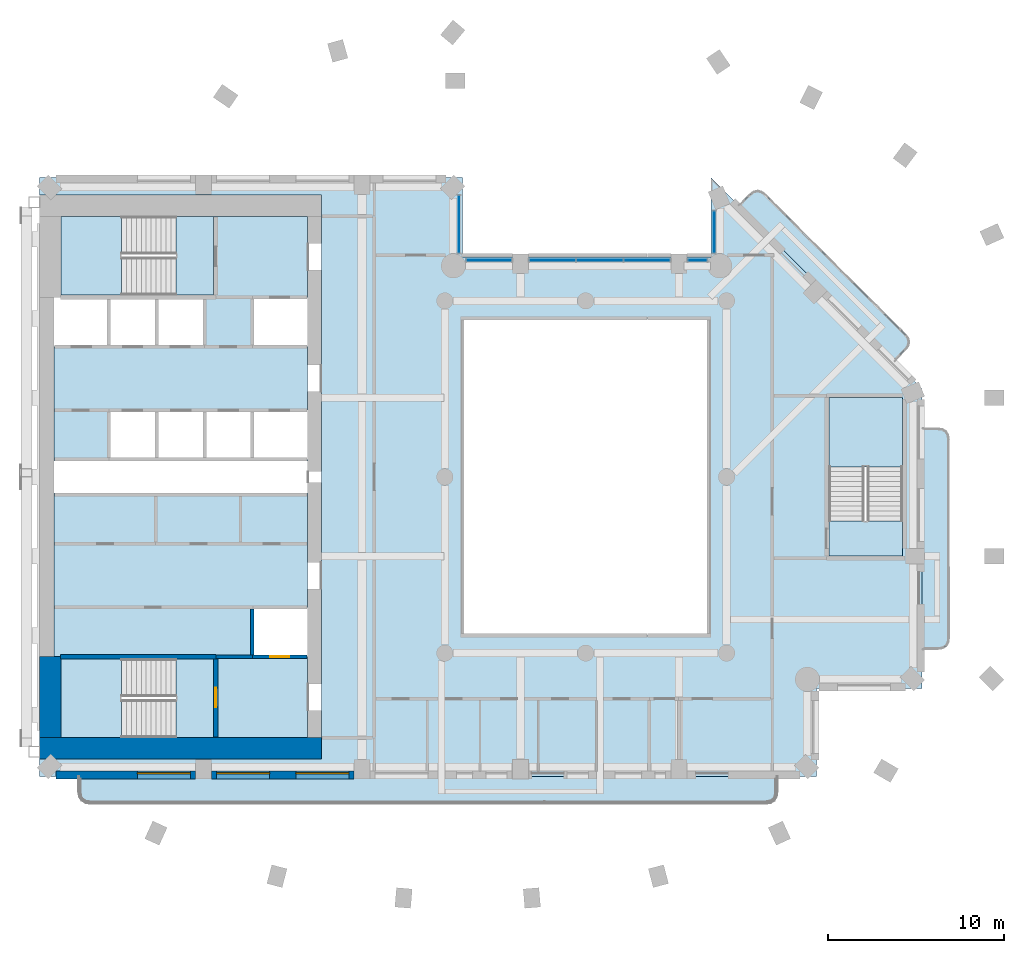
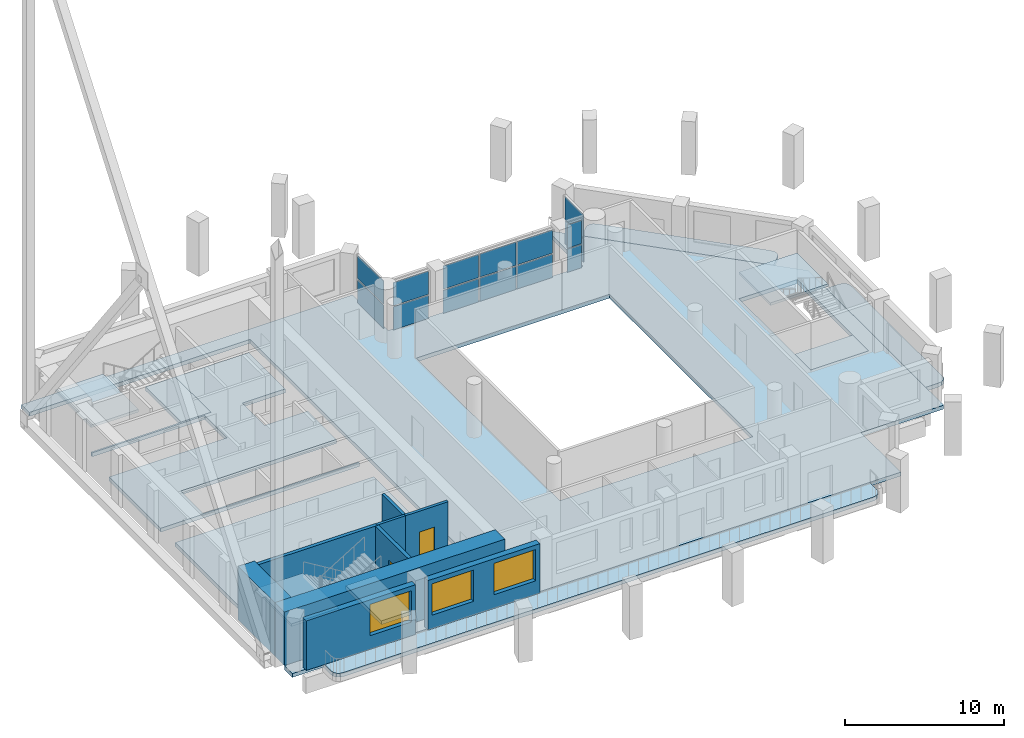
# One storey, part 3 of 16: 14 plates, 12 slabs, 9 walls, 3 windows, 2 doors, 5 openings, 8 elements without a shape of their own.
"""IFC4 building model written with IfcOpenShell, lengths in metres."""

from ifc_helpers import new_model, si_unit, direction, frame, frame_2d, origin, origin_2d, place, context, subcontext, project, spatial, polyline, rectangle, outline, extrude, material, layer, layer_set, type_object, element, fill, aggregate, save


model = new_model("IFC4")

# Units and contexts
model_context = context("Model", 3, precision=1e-05, world=origin(), true_north=direction((0.0, 1.0)))
body_context = subcontext(model_context, "Body", "Model", "MODEL_VIEW")
ifc_project = project(units=[si_unit("LENGTHUNIT", "METRE"), si_unit("AREAUNIT", "SQUARE_METRE"), si_unit("VOLUMEUNIT", "CUBIC_METRE"), si_unit("PLANEANGLEUNIT", "RADIAN"), si_unit("MASSUNIT", "GRAM", prefix="KILO")], contexts=[model_context])

# Site, building, storey
site_placement = place(None, origin())
site = spatial("IfcSite", under=ifc_project, at=site_placement, CompositionType="ELEMENT")
building_placement = place(site_placement, origin())
building = spatial("IfcBuilding", under=site, at=building_placement, Name="Cypress Arch Tower", CompositionType="ELEMENT")
storey_placement = place(building_placement, frame((0.0, 0.0, 197.39990234375)))
storey = spatial("IfcBuildingStorey", under=building, at=storey_placement, Name="L43", CompositionType="ELEMENT", Elevation=197.39990234375)

# Slabs
ifc_material_1 = material(Name="Concrete C40/50", Category="concrete")
ifc_layer_1 = layer(ifc_material_1, 0.300048828125)
ifc_layer_set_1 = layer_set([ifc_layer_1], Name="Balcony slab BS300")
slab_type_1 = type_object("IfcSlabType", Name="Balcony slab BS300", PredefinedType="USERDEFINED", material=ifc_layer_set_1)
slab_1_placement = place(storey_placement, frame((0.0, 0.0, -0.2998046875)))
element("IfcSlab", 1, at=slab_1_placement, inside=storey, type_object=slab_type_1, Name="Balcony slab L43-B01", ObjectType="BALCONY SLAB", PredefinedType="USERDEFINED", context=body_context, shape_type="SweptSolid", body=[
    extrude(outline(polyline([(-27.75, -17.0), (-27.75, -17.856201171875), (-27.708740234375, -18.144775390625), (-27.5849609375, -18.350830078125), (-27.378662109375, -18.474365234375), (-27.090087890625, -18.51513671875), (-26.283447265625, -18.513916015625), (-24.816650390625, -18.510498046875), (-23.35009765625, -18.50634765625), (-21.88330078125, -18.502685546875), (-20.416748046875, -18.50048828125), (-18.949951171875, -18.500244140625), (-17.4833984375, -18.501953125), (-16.0166015625, -18.50537109375), (-14.550048828125, -18.509521484375), (-13.083251953125, -18.51318359375), (-11.61669921875, -18.515869140625), (-10.14990234375, -18.516357421875), (-8.683349609375, -18.514892578125), (-7.216552734375, -18.511474609375), (-5.75, -18.507568359375), (-4.283447265625, -18.503662109375), (-2.816650390625, -18.500732421875), (-1.35009765625, -18.5), (0.11669921875, -18.501220703125), (1.583251953125, -18.50439453125), (3.050048828125, -18.50830078125), (4.5166015625, -18.51220703125), (5.9833984375, -18.51513671875), (7.449951171875, -18.516357421875), (8.916748046875, -18.515380859375), (10.38330078125, -18.512451171875), (11.18994140625, -18.510498046875), (11.478759765625, -18.46826171875), (11.68505859375, -18.343994140625), (11.808837890625, -18.137451171875), (11.85009765625, -17.8486328125), (11.85009765625, -17.0), (-27.75, -17.0)])), origin(), (0.0, 0.0, 1.0), 0.2998046875),
])
slab_2_placement = place(storey_placement, frame((0.0, 0.0, -0.2998046875)))
element("IfcSlab", 2, at=slab_2_placement, inside=storey, type_object=slab_type_1, Name="Balcony slab L43-B04", ObjectType="BALCONY SLAB", PredefinedType="USERDEFINED", context=body_context, shape_type="SweptSolid", body=[
    extrude(outline(polyline([(20.10009765625, -9.75), (20.990966796875, -9.75), (21.264404296875, -9.7109375), (21.459716796875, -9.59375), (21.57666015625, -9.3984375), (21.615234375, -9.125), (21.6142578125, -8.361083984375), (21.61083984375, -6.97216796875), (21.60693359375, -5.583251953125), (21.603271484375, -4.1943359375), (21.600830078125, -2.8056640625), (21.60009765625, -1.416748046875), (21.60107421875, -0.02783203125), (21.603759765625, 1.361083984375), (21.605712890625, 2.125), (21.5673828125, 2.3984375), (21.45068359375, 2.59375), (21.255859375, 2.7109375), (20.982421875, 2.75), (20.10009765625, 2.75), (20.10009765625, -9.75)])), origin(), (0.0, 0.0, 1.0), 0.2998046875),
])
slab_3_placement = place(storey_placement, frame((0.0, 0.0, -0.2998046875)))
element("IfcSlab", 3, at=slab_3_placement, inside=storey, type_object=slab_type_1, Name="Balcony slab L43-B05", ObjectType="BALCONY SLAB", PredefinedType="USERDEFINED", context=body_context, shape_type="SweptSolid", body=[
    extrude(outline(polyline([(18.509033203125, 6.591064453125), (19.14013671875, 7.22216796875), (19.305419921875, 7.442626953125), (19.3603515625, 7.662841796875), (19.30517578125, 7.883056640625), (19.1396484375, 8.103271484375), (18.599853515625, 8.641357421875), (17.617919921875, 9.618896484375), (16.63525390625, 10.595947265625), (15.65283203125, 11.5732421875), (14.67138671875, 12.55126953125), (13.69091796875, 13.5302734375), (12.7119140625, 14.5107421875), (11.734130859375, 15.492431640625), (11.196533203125, 16.03271484375), (10.9765625, 16.19873046875), (10.756591796875, 16.254150390625), (10.536376953125, 16.19921875), (10.31591796875, 16.033935546875), (9.69091796875, 15.408935546875), (18.509033203125, 6.591064453125)])), origin(), (0.0, 0.0, 1.0), 0.2998046875),
])
ifc_material_2 = material(Name="Concrete C40/50", Category="concrete")
ifc_layer_2 = layer(ifc_material_2, 0.300048828125)
ifc_layer_set_2 = layer_set([ifc_layer_2], Name="Core floor CF300")
slab_type_2 = type_object("IfcSlabType", Name="Core floor CF300", PredefinedType="FLOOR", material=ifc_layer_set_2)
slab_4_placement = place(storey_placement, frame((0.0, 0.0, -0.2998046875)))
element("IfcSlab", 4, at=slab_4_placement, inside=storey, type_object=slab_type_2, Name="Core floor", PredefinedType="FLOOR", context=body_context, shape_type="SweptSolid", body=[
    extrude(outline(polyline([(-28.800048828125, -10.199951171875), (-29.199951171875, -10.199951171875), (-29.199951171875, -0.89990234375), (-15.199951171875, -0.89990234375), (-14.800048828125, -0.89990234375), (-14.800048828125, -7.39990234375), (-15.199951171875, -7.39990234375), (-17.919921875, -7.39990234375), (-17.919921875, -10.199951171875), (-15.199951171875, -10.199951171875), (-14.800048828125, -10.199951171875), (-14.800048828125, -14.800048828125), (-15.199951171875, -14.800048828125), (-20.125, -14.800048828125), (-20.125, -10.324951171875), (-22.27490234375, -10.324951171875), (-28.800048828125, -10.324951171875), (-28.800048828125, -10.199951171875)])), origin(), (0.0, 0.0, 1.0), 0.2998046875),
])
slab_5_placement = place(storey_placement, frame((0.0, 0.0, -0.2998046875)))
element("IfcSlab", 5, at=slab_5_placement, inside=storey, type_object=slab_type_2, Name="Core floor", PredefinedType="FLOOR", context=body_context, shape_type="SweptSolid", body=[
    extrude(outline(polyline([(-22.27490234375, -10.324951171875), (-22.27490234375, -14.800048828125), (-20.125, -14.800048828125), (-20.125, -10.324951171875), (-22.27490234375, -10.324951171875)])), origin(), (0.0, 0.0, 1.0), 0.2998046875),
])
slab_6_placement = place(storey_placement, frame((0.0, 0.0, -0.2998046875)))
element("IfcSlab", 6, at=slab_6_placement, inside=storey, type_object=slab_type_2, Name="Core floor", PredefinedType="FLOOR", context=body_context, shape_type="SweptSolid", body=[
    extrude(outline(polyline([(-20.125, 14.800048828125), (-22.27490234375, 14.800048828125), (-22.27490234375, 10.324951171875), (-20.125, 10.324951171875), (-20.125, 14.800048828125)])), origin(), (0.0, 0.0, 1.0), 0.2998046875),
])
slab_7_placement = place(storey_placement, frame((0.0, 0.0, -0.2998046875)))
element("IfcSlab", 7, at=slab_7_placement, inside=storey, type_object=slab_type_2, Name="Stair floor landing", PredefinedType="FLOOR", context=body_context, shape_type="SweptSolid", body=[
    extrude(outline(polyline([(19.0, -4.5), (19.0, -2.5), (14.800048828125, -2.5), (14.800048828125, -4.5), (19.0, -4.5)])), origin(), (0.0, 0.0, 1.0), 0.2998046875),
])
slab_8_placement = place(storey_placement, frame((0.0, 0.0, -0.2998046875)))
element("IfcSlab", 8, at=slab_8_placement, inside=storey, type_object=slab_type_2, Name="Core floor", PredefinedType="FLOOR", context=body_context, shape_type="SweptSolid", body=[
    extrude(outline(polyline([(-20.639892578125, 7.39990234375), (-20.639892578125, 10.199951171875), (-23.360107421875, 10.199951171875), (-26.080078125, 10.199951171875), (-28.800048828125, 10.199951171875), (-28.800048828125, 10.324951171875), (-22.27490234375, 10.324951171875), (-20.125, 10.324951171875), (-20.125, 14.800048828125), (-15.199951171875, 14.800048828125), (-14.800048828125, 14.800048828125), (-14.800048828125, 10.199951171875), (-15.199951171875, 10.199951171875), (-17.919921875, 10.199951171875), (-17.919921875, 7.39990234375), (-15.199951171875, 7.39990234375), (-14.800048828125, 7.39990234375), (-14.800048828125, 3.800048828125), (-15.199951171875, 3.800048828125), (-17.919921875, 3.800048828125), (-20.639892578125, 3.800048828125), (-23.360107421875, 3.800048828125), (-26.080078125, 3.800048828125), (-26.080078125, 1.5), (-26.080078125, 1.5), (-26.080078125, 1.0), (-25.679931640625, 1.0), (-23.360107421875, 1.0), (-20.639892578125, 1.0), (-17.919921875, 1.0), (-15.199951171875, 1.0), (-14.800048828125, 1.0), (-14.800048828125, 0.89990234375), (-15.199951171875, 0.89990234375), (-25.679931640625, 0.89990234375), (-26.47998046875, 0.89990234375), (-29.199951171875, 0.89990234375), (-29.199951171875, 1.5), (-29.199951171875, 7.39990234375), (-26.080078125, 7.39990234375), (-23.360107421875, 7.39990234375), (-20.639892578125, 7.39990234375)])), origin(), (0.0, 0.0, 1.0), 0.2998046875),
])

# Curtain wall, plates
ifc_material_3 = material(Name="Anodised aluminium, bronze finish, clear laminated double glazing", Category="aluminium")
curtain_wall_type = type_object("IfcCurtainWallType", Name="Curtain wall CW7 slot glazing", PredefinedType="NOTDEFINED", material=ifc_material_3)
curtain_wall_1_placement = place(storey_placement, origin())
curtain_wall_1 = element("IfcCurtainWall", 9, at=curtain_wall_1_placement, inside=storey, type_object=curtain_wall_type, Name="Curtain wall L43 slot B06.0", PredefinedType="NOTDEFINED")
ifc_material_4 = material(Name="Clear laminated double glazing", Category="glass")
ifc_layer_3 = layer(ifc_material_4, 0.0439453125)
ifc_layer_set_3 = layer_set([ifc_layer_3], Name="Glass panel CW7 44")
plate_type = type_object("IfcPlateType", Name="Glass panel CW7 44", PredefinedType="CURTAIN_PANEL", material=ifc_layer_set_3)
plate_1_placement = place(storey_placement, frame((8.300048828125, 13.912353515625, 0.085205078125), z_axis=(0.0, 0.0, 1.0), x_axis=(0.0, -1.0, 0.0)))
plate_1 = element("IfcPlate", 10, at=plate_1_placement, type_object=plate_type, Name="CW7 panel 1.1", PredefinedType="CURTAIN_PANEL", context=body_context, shape_type="SweptSolid", body=[
    extrude(rectangle(XDim=2.345458984375, YDim=0.0439453125, at=origin_2d()), origin(), (0.0, 0.0, 1.0), 1.7724609375),
])
plate_2_placement = place(storey_placement, frame((8.300048828125, 13.912353515625, 1.942626953125), z_axis=(0.0, 0.0, 1.0), x_axis=(0.0, -1.0, 0.0)))
plate_2 = element("IfcPlate", 11, at=plate_2_placement, type_object=plate_type, Name="CW7 panel 1.2", PredefinedType="CURTAIN_PANEL", context=body_context, shape_type="SweptSolid", body=[
    extrude(rectangle(XDim=2.345458984375, YDim=0.0439453125, at=origin_2d()), origin(), (0.0, 0.0, 1.0), 1.7724609375),
])
aggregate(curtain_wall_1, [plate_1, plate_2])

curtain_wall_2_placement = place(storey_placement, origin())
curtain_wall_2 = element("IfcCurtainWall", 12, at=curtain_wall_2_placement, inside=storey, type_object=curtain_wall_type, Name="Curtain wall L43 slot B07.0", PredefinedType="NOTDEFINED")
plate_3_placement = place(storey_placement, frame((7.34765625, 12.300048828125, 0.085205078125), z_axis=(0.0, 0.0, 1.0), x_axis=(-1.0, 0.0, 0.0)))
plate_3 = element("IfcPlate", 13, at=plate_3_placement, type_object=plate_type, Name="CW7 panel 1.1", PredefinedType="CURTAIN_PANEL", context=body_context, shape_type="SweptSolid", body=[
    extrude(rectangle(XDim=1.025390625, YDim=0.0439453125, at=origin_2d()), origin(), (0.0, 0.0, 1.0), 1.7724609375),
])
plate_4_placement = place(storey_placement, frame((7.34765625, 12.300048828125, 1.942626953125), z_axis=(0.0, 0.0, 1.0), x_axis=(-1.0, 0.0, 0.0)))
plate_4 = element("IfcPlate", 14, at=plate_4_placement, type_object=plate_type, Name="CW7 panel 1.2", PredefinedType="CURTAIN_PANEL", context=body_context, shape_type="SweptSolid", body=[
    extrude(rectangle(XDim=1.025390625, YDim=0.0439453125, at=origin_2d()), origin(), (0.0, 0.0, 1.0), 1.7724609375),
])
aggregate(curtain_wall_2, [plate_3, plate_4])

curtain_wall_3_placement = place(storey_placement, origin())
curtain_wall_3 = element("IfcCurtainWall", 15, at=curtain_wall_3_placement, inside=storey, type_object=curtain_wall_type, Name="Curtain wall L43 slot B07.1", PredefinedType="NOTDEFINED")
plate_5_placement = place(storey_placement, frame((4.478759765625, 12.300048828125, 0.085205078125), z_axis=(0.0, 0.0, 1.0), x_axis=(-1.0, 0.0, 0.0)))
plate_5 = element("IfcPlate", 16, at=plate_5_placement, type_object=plate_type, Name="CW7 panel 1.1", PredefinedType="CURTAIN_PANEL", context=body_context, shape_type="SweptSolid", body=[
    extrude(rectangle(XDim=2.572509765625, YDim=0.0439453125, at=origin_2d()), origin(), (0.0, 0.0, 1.0), 1.7724609375),
])
plate_6_placement = place(storey_placement, frame((4.478759765625, 12.300048828125, 1.942626953125), z_axis=(0.0, 0.0, 1.0), x_axis=(-1.0, 0.0, 0.0)))
plate_6 = element("IfcPlate", 17, at=plate_6_placement, type_object=plate_type, Name="CW7 panel 1.2", PredefinedType="CURTAIN_PANEL", context=body_context, shape_type="SweptSolid", body=[
    extrude(rectangle(XDim=2.572509765625, YDim=0.0439453125, at=origin_2d()), origin(), (0.0, 0.0, 1.0), 1.7724609375),
])
plate_7_placement = place(storey_placement, frame((1.800048828125, 12.300048828125, 0.085205078125), z_axis=(0.0, 0.0, 1.0), x_axis=(-1.0, 0.0, 0.0)))
plate_7 = element("IfcPlate", 18, at=plate_7_placement, type_object=plate_type, Name="CW7 panel 2.1", PredefinedType="CURTAIN_PANEL", context=body_context, shape_type="SweptSolid", body=[
    extrude(rectangle(XDim=2.614990234375, YDim=0.0439453125, at=origin_2d()), origin(), (0.0, 0.0, 1.0), 1.7724609375),
])
plate_8_placement = place(storey_placement, frame((1.800048828125, 12.300048828125, 1.942626953125), z_axis=(0.0, 0.0, 1.0), x_axis=(-1.0, 0.0, 0.0)))
plate_8 = element("IfcPlate", 19, at=plate_8_placement, type_object=plate_type, Name="CW7 panel 2.2", PredefinedType="CURTAIN_PANEL", context=body_context, shape_type="SweptSolid", body=[
    extrude(rectangle(XDim=2.614990234375, YDim=0.0439453125, at=origin_2d()), origin(), (0.0, 0.0, 1.0), 1.7724609375),
])
plate_9_placement = place(storey_placement, frame((-0.878662109375, 12.300048828125, 0.085205078125), z_axis=(0.0, 0.0, 1.0), x_axis=(-1.0, 0.0, 0.0)))
plate_9 = element("IfcPlate", 20, at=plate_9_placement, type_object=plate_type, Name="CW7 panel 3.1", PredefinedType="CURTAIN_PANEL", context=body_context, shape_type="SweptSolid", body=[
    extrude(rectangle(XDim=2.572509765625, YDim=0.0439453125, at=origin_2d()), origin(), (0.0, 0.0, 1.0), 1.7724609375),
])
plate_10_placement = place(storey_placement, frame((-0.878662109375, 12.300048828125, 1.942626953125), z_axis=(0.0, 0.0, 1.0), x_axis=(-1.0, 0.0, 0.0)))
plate_10 = element("IfcPlate", 21, at=plate_10_placement, type_object=plate_type, Name="CW7 panel 3.2", PredefinedType="CURTAIN_PANEL", context=body_context, shape_type="SweptSolid", body=[
    extrude(rectangle(XDim=2.572509765625, YDim=0.0439453125, at=origin_2d()), origin(), (0.0, 0.0, 1.0), 1.7724609375),
])
aggregate(curtain_wall_3, [plate_5, plate_6, plate_7, plate_8, plate_9, plate_10])

curtain_wall_4_placement = place(storey_placement, origin())
curtain_wall_4 = element("IfcCurtainWall", 22, at=curtain_wall_4_placement, inside=storey, type_object=curtain_wall_type, Name="Curtain wall L43 slot B07.2", PredefinedType="NOTDEFINED")
plate_11_placement = place(storey_placement, frame((-4.497802734375, 12.300048828125, 0.085205078125), z_axis=(0.0, 0.0, 1.0), x_axis=(-1.0, 0.0, 0.0)))
plate_11 = element("IfcPlate", 23, at=plate_11_placement, type_object=plate_type, Name="CW7 panel 1.1", PredefinedType="CURTAIN_PANEL", context=body_context, shape_type="SweptSolid", body=[
    extrude(rectangle(XDim=2.525390625, YDim=0.0439453125, at=origin_2d()), origin(), (0.0, 0.0, 1.0), 1.7724609375),
])
plate_12_placement = place(storey_placement, frame((-4.497802734375, 12.300048828125, 1.942626953125), z_axis=(0.0, 0.0, 1.0), x_axis=(-1.0, 0.0, 0.0)))
plate_12 = element("IfcPlate", 24, at=plate_12_placement, type_object=plate_type, Name="CW7 panel 1.2", PredefinedType="CURTAIN_PANEL", context=body_context, shape_type="SweptSolid", body=[
    extrude(rectangle(XDim=2.525390625, YDim=0.0439453125, at=origin_2d()), origin(), (0.0, 0.0, 1.0), 1.7724609375),
])
aggregate(curtain_wall_4, [plate_11, plate_12])

curtain_wall_5_placement = place(storey_placement, origin())
curtain_wall_5 = element("IfcCurtainWall", 25, at=curtain_wall_5_placement, inside=storey, type_object=curtain_wall_type, Name="Curtain wall L43 slot B08.0", PredefinedType="NOTDEFINED")
plate_13_placement = place(storey_placement, frame((-6.199951171875, 14.359130859375, 0.085205078125), z_axis=(0.0, 0.0, 1.0), x_axis=(0.0, 1.0, 0.0)))
plate_13 = element("IfcPlate", 26, at=plate_13_placement, type_object=plate_type, Name="CW7 panel 1.1", PredefinedType="CURTAIN_PANEL", context=body_context, shape_type="SweptSolid", body=[
    extrude(rectangle(XDim=3.239013671875, YDim=0.0439453125, at=origin_2d()), origin(), (0.0, 0.0, 1.0), 1.7724609375),
])
plate_14_placement = place(storey_placement, frame((-6.199951171875, 14.359130859375, 1.942626953125), z_axis=(0.0, 0.0, 1.0), x_axis=(0.0, 1.0, 0.0)))
plate_14 = element("IfcPlate", 27, at=plate_14_placement, type_object=plate_type, Name="CW7 panel 1.2", PredefinedType="CURTAIN_PANEL", context=body_context, shape_type="SweptSolid", body=[
    extrude(rectangle(XDim=3.239013671875, YDim=0.0439453125, at=origin_2d()), origin(), (0.0, 0.0, 1.0), 1.7724609375),
])
aggregate(curtain_wall_5, [plate_13, plate_14])

# Slab
ifc_material_5 = material(Name="Concrete C40/50", Category="concrete")
ifc_layer_4 = layer(ifc_material_5, 0.300048828125)
ifc_layer_set_4 = layer_set([ifc_layer_4], Name="PT flat slab 300 Concrete C40/50")
slab_type_3 = type_object("IfcSlabType", Name="PT flat slab 300 Concrete C40/50", PredefinedType="FLOOR", material=ifc_layer_set_4)
slab_9_placement = place(storey_placement, frame((0.0, 0.0, -0.2998046875)))
element("IfcSlab", 28, at=slab_9_placement, inside=storey, type_object=slab_type_3, Name="Floor slab L43", PredefinedType="FLOOR", context=body_context, shape_type="SweptSolid", body=[
    extrude(outline(polyline([(-30.0, 17.0), (-6.0, 17.0), (-6.0, 12.5), (8.10009765625, 12.5), (8.10009765625, 17.0), (20.10009765625, 5.0), (20.10009765625, -12.0), (14.10009765625, -12.0), (14.10009765625, -17.0), (-30.0, -17.0), (-30.0, -16.0), (-14.0, -16.0), (-14.0, 16.0), (-30.0, 16.0), (-30.0, 17.0)]), holes=[polyline([(-6.0, -9.0), (8.0, -9.0), (8.0, 9.0), (-6.0, 9.0), (-6.0, -9.0)]), polyline([(14.800048828125, -4.5), (19.0, -4.5), (19.0, 4.5), (14.800048828125, 4.5), (14.800048828125, -4.5)])]), origin(), (0.0, 0.0, 1.0), 0.2998046875),
])

# Stair, slab
ifc_material_6 = material(Name="Concrete C40/50", Category="concrete")
stair_type_1 = type_object("IfcStairType", Name="Exit stair ES1708-215", PredefinedType="HALF_TURN_STAIR", material=ifc_material_6)
stair_1_placement = place(storey_placement, origin())
stair_1 = element("IfcStair", 29, at=stair_1_placement, inside=storey, type_object=stair_type_1, Name="L43 Exit stair A", PredefinedType="HALF_TURN_STAIR")
ifc_material_7 = material(Name="Concrete C40/50", Category="concrete")
ifc_layer_5 = layer(ifc_material_7, 0.199951171875)
ifc_layer_set_5 = layer_set([ifc_layer_5], Name="Stair landing SL200")
slab_type_4 = type_object("IfcSlabType", Name="Stair landing SL200", PredefinedType="LANDING", material=ifc_layer_set_5)
slab_10_placement = place(storey_placement, frame((0.0, 0.0, 1.85009765625)))
slab_10 = element("IfcSlab", 30, at=slab_10_placement, type_object=slab_type_4, Name="A landing 1", PredefinedType="LANDING", context=body_context, shape_type="SweptSolid", body=[
    extrude(outline(polyline([(-25.35498046875, -10.324951171875), (-28.800048828125, -10.324951171875), (-28.800048828125, -14.800048828125), (-25.35498046875, -14.800048828125), (-25.35498046875, -10.324951171875)])), origin(), (0.0, 0.0, 1.0), 0.199951171875),
])
aggregate(stair_1, [slab_10])

stair_2_placement = place(storey_placement, origin())
stair_2 = element("IfcStair", 31, at=stair_2_placement, inside=storey, type_object=stair_type_1, Name="L43 Exit stair B", PredefinedType="HALF_TURN_STAIR")
slab_11_placement = place(storey_placement, frame((0.0, 0.0, 1.85009765625)))
slab_11 = element("IfcSlab", 32, at=slab_11_placement, type_object=slab_type_4, Name="B landing 1", PredefinedType="LANDING", context=body_context, shape_type="SweptSolid", body=[
    extrude(outline(polyline([(-25.35498046875, 14.800048828125), (-28.800048828125, 14.800048828125), (-28.800048828125, 10.324951171875), (-25.35498046875, 10.324951171875), (-25.35498046875, 14.800048828125)])), origin(), (0.0, 0.0, 1.0), 0.199951171875),
])
aggregate(stair_2, [slab_11])

ifc_material_8 = material(Name="Concrete C40/50", Category="concrete")
stair_type_2 = type_object("IfcStairType", Name="Exit stair ES1708-200", PredefinedType="HALF_TURN_STAIR", material=ifc_material_8)
stair_3_placement = place(storey_placement, origin())
stair_3 = element("IfcStair", 33, at=stair_3_placement, inside=storey, type_object=stair_type_2, Name="L43 Exit stair C", PredefinedType="HALF_TURN_STAIR")
slab_12_placement = place(storey_placement, frame((0.0, 0.0, 1.85009765625)))
slab_12 = element("IfcSlab", 34, at=slab_12_placement, type_object=slab_type_4, Name="C landing 1", PredefinedType="LANDING", context=body_context, shape_type="SweptSolid", body=[
    extrude(outline(polyline([(19.0, 0.580078125), (19.0, 4.5), (14.800048828125, 4.5), (14.800048828125, 0.580078125), (19.0, 0.580078125)])), origin(), (0.0, 0.0, 1.0), 0.199951171875),
])
aggregate(stair_3, [slab_12])

# Wall, opening, window
ifc_material_9 = material(Name="Brick (red buff blend)", Category="masonry")
ifc_layer_6 = layer(ifc_material_9, 0.449951171875)
ifc_layer_set_6 = layer_set([ifc_layer_6], Name="Brick pier and spandrel wall BW450")
wall_type_1 = type_object("IfcWallType", Name="Brick pier and spandrel wall BW450", PredefinedType="SOLIDWALL", material=ifc_layer_set_6)
wall_1_placement = place(storey_placement, frame((-29.063720703125, -16.925048828125, 0.0), z_axis=(0.0, 0.0, 1.0), x_axis=(1.0, 0.0, 0.0)))
wall_1 = element("IfcWall", 35, at=wall_1_placement, inside=storey, type_object=wall_type_1, Name="Brick wall L43 B01.0", PredefinedType="SOLIDWALL", context=body_context, shape_type="SweptSolid", body=[
    extrude(rectangle(XDim=7.913818359375, YDim=0.449951171875, at=frame_2d((3.95703125, 0.0))), origin(), (0.0, 0.0, 1.0), 3.800048828125),
])
opening_1_placement = place(wall_1_placement, frame((4.613525390625, 0.0, 1.050048828125)))
opening_1 = element("IfcOpeningElement", 36, at=opening_1_placement, cuts=wall_1, Name="Opening W300OD", PredefinedType="OPENING", context=body_context, shape_type="SweptSolid", body=[
    extrude(rectangle(XDim=3.0, YDim=2.39990234375, at=frame_2d((1.5, 1.199951171875))), frame((0.0, 0.23486328125, 0.0), z_axis=(0.0, -1.0, 0.0), x_axis=(1.0, 0.0, 0.0)), (0.0, 0.0, 1.0), 0.469970703125),
])
ifc_material_10 = material(Name="Anodised aluminium, bronze finish, laminated low-emissivity double glazing, large-missile impact rated", Category="aluminium")
window_type = type_object("IfcWindowType", Name="Window Office 3000x2400 debris-rated", PartitioningType="SINGLE_PANEL", PredefinedType="WINDOW", material=ifc_material_10)
window_1_placement = place(opening_1_placement, origin())
window_1 = element("IfcWindow", 37, at=window_1_placement, inside=storey, type_object=window_type, Name="Window L43 B01.0.2", OverallHeight=2.39990234375, OverallWidth=3.0, PartitioningType="SINGLE_PANEL", PredefinedType="WINDOW", context=body_context, shape_type="SweptSolid", body=[
    extrude(rectangle(XDim=3.0, YDim=2.39990234375, at=frame_2d((1.5, 1.199951171875))), frame((0.0, 0.135009765625, 0.0), z_axis=(0.0, -1.0, 0.0), x_axis=(1.0, 0.0, 0.0)), (0.0, 0.0, 1.0), 0.06005859375),
])
fill(opening_1, window_1)

# Wall, openings, windows
wall_2_placement = place(storey_placement, frame((-20.25, -16.925048828125, 0.0), z_axis=(0.0, 0.0, 1.0), x_axis=(1.0, 0.0, 0.0)))
wall_2 = element("IfcWall", 38, at=wall_2_placement, inside=storey, type_object=wall_type_1, Name="Brick wall L43 B01.1", PredefinedType="SOLIDWALL", context=body_context, shape_type="SweptSolid", body=[
    extrude(rectangle(XDim=8.10009765625, YDim=0.449951171875, at=frame_2d((4.050048828125, 0.0))), origin(), (0.0, 0.0, 1.0), 3.800048828125),
])
opening_2_placement = place(wall_2_placement, frame((0.300048828125, 0.0, 1.050048828125)))
opening_2 = element("IfcOpeningElement", 39, at=opening_2_placement, cuts=wall_2, Name="Opening W300OD", PredefinedType="OPENING", context=body_context, shape_type="SweptSolid", body=[
    extrude(rectangle(XDim=3.0, YDim=2.39990234375, at=frame_2d((1.5, 1.199951171875))), frame((0.0, 0.23486328125, 0.0), z_axis=(0.0, -1.0, 0.0), x_axis=(1.0, 0.0, 0.0)), (0.0, 0.0, 1.0), 0.469970703125),
])
opening_3_placement = place(wall_2_placement, frame((4.800048828125, 0.0, 1.050048828125)))
opening_3 = element("IfcOpeningElement", 40, at=opening_3_placement, cuts=wall_2, Name="Opening W300OD", PredefinedType="OPENING", context=body_context, shape_type="SweptSolid", body=[
    extrude(rectangle(XDim=3.0, YDim=2.39990234375, at=frame_2d((1.5, 1.199951171875))), frame((0.0, 0.23486328125, 0.0), z_axis=(0.0, -1.0, 0.0), x_axis=(1.0, 0.0, 0.0)), (0.0, 0.0, 1.0), 0.469970703125),
])
window_2_placement = place(opening_2_placement, origin())
window_2 = element("IfcWindow", 41, at=window_2_placement, inside=storey, type_object=window_type, Name="Window L43 B01.1.1", OverallHeight=2.39990234375, OverallWidth=3.0, PartitioningType="SINGLE_PANEL", PredefinedType="WINDOW", context=body_context, shape_type="SweptSolid", body=[
    extrude(rectangle(XDim=3.0, YDim=2.39990234375, at=frame_2d((1.5, 1.199951171875))), frame((0.0, 0.135009765625, 0.0), z_axis=(0.0, -1.0, 0.0), x_axis=(1.0, 0.0, 0.0)), (0.0, 0.0, 1.0), 0.06005859375),
])
fill(opening_2, window_2)
window_3_placement = place(opening_3_placement, origin())
window_3 = element("IfcWindow", 42, at=window_3_placement, inside=storey, type_object=window_type, Name="Window L43 B01.1.2", OverallHeight=2.39990234375, OverallWidth=3.0, PartitioningType="SINGLE_PANEL", PredefinedType="WINDOW", context=body_context, shape_type="SweptSolid", body=[
    extrude(rectangle(XDim=3.0, YDim=2.39990234375, at=frame_2d((1.5, 1.199951171875))), frame((0.0, 0.135009765625, 0.0), z_axis=(0.0, -1.0, 0.0), x_axis=(1.0, 0.0, 0.0)), (0.0, 0.0, 1.0), 0.06005859375),
])
fill(opening_3, window_3)

# Walls
ifc_material_11 = material(Name="Concrete C70/85", Category="concrete")
ifc_layer_7 = layer(ifc_material_11, 1.199951171875)
ifc_layer_set_7 = layer_set([ifc_layer_7], Name="Core wall CW1200 C70/85")
wall_type_2 = type_object("IfcWallType", Name="Core wall CW1200 C70/85", PredefinedType="SHEAR", material=ifc_layer_set_7)
wall_3_placement = place(storey_placement, frame((-30.0, -15.39990234375, 0.0), z_axis=(0.0, 0.0, 1.0), x_axis=(1.0, 0.0, 0.0)))
element("IfcWall", 43, at=wall_3_placement, inside=storey, type_object=wall_type_2, Name="Core wall", PredefinedType="SHEAR", context=body_context, shape_type="SweptSolid", body=[
    extrude(rectangle(XDim=16.0, YDim=1.199951171875, at=frame_2d((8.0, 0.0))), origin(), (0.0, 0.0, 1.0), 4.10009765625),
])
wall_4_placement = place(storey_placement, frame((-29.39990234375, -14.800048828125, 0.0), z_axis=(0.0, 0.0, 1.0), x_axis=(0.0, 1.0, 0.0)))
element("IfcWall", 44, at=wall_4_placement, inside=storey, type_object=wall_type_2, Name="Core wall", PredefinedType="SHEAR", context=body_context, shape_type="SweptSolid", body=[
    extrude(rectangle(XDim=4.60009765625, YDim=1.199951171875, at=frame_2d((2.300048828125, 0.0))), origin(), (0.0, 0.0, 1.0), 4.10009765625),
])
ifc_material_12 = material(Name="Reinforced blockwork, plastered, rated", Category="masonry")
ifc_layer_8 = layer(ifc_material_12, 0.199951171875)
ifc_layer_set_8 = layer_set([ifc_layer_8], Name="Plant and riser wall PL200")
wall_type_3 = type_object("IfcWallType", Name="Plant and riser wall PL200", PredefinedType="PARTITIONING", material=ifc_layer_set_8)
wall_5_placement = place(storey_placement, frame((-20.0, -10.199951171875, 0.0), z_axis=(0.0, 0.0, 1.0), x_axis=(1.0, 0.0, 0.0)))
element("IfcWall", 45, at=wall_5_placement, inside=storey, type_object=wall_type_3, Name="Plant and riser wall", PredefinedType="PARTITIONING", context=body_context, shape_type="SweptSolid", body=[
    extrude(rectangle(XDim=2.080078125, YDim=0.199951171875, at=frame_2d((1.0400390625, 0.0))), origin(), (0.0, 0.0, 1.0), 3.800048828125),
])
ifc_material_13 = material(Name="Concrete C50/60", Category="concrete")
ifc_layer_9 = layer(ifc_material_13, 0.199951171875)
ifc_layer_set_9 = layer_set([ifc_layer_9], Name="Shaft wall SH200")
wall_type_4 = type_object("IfcWallType", Name="Shaft wall SH200", PredefinedType="SHEAR", material=ifc_layer_set_9)
wall_6_placement = place(storey_placement, frame((-17.919921875, -10.10009765625, 0.0), z_axis=(0.0, 0.0, 1.0), x_axis=(0.0, 1.0, 0.0)))
element("IfcWall", 46, at=wall_6_placement, inside=storey, type_object=wall_type_4, Name="Shaft wall", PredefinedType="SHEAR", context=body_context, shape_type="SweptSolid", body=[
    extrude(rectangle(XDim=2.60009765625, YDim=0.199951171875, at=frame_2d((1.300048828125, 0.0))), origin(), (0.0, 0.0, 1.0), 3.800048828125),
])

# Wall, opening, door
wall_7_placement = place(storey_placement, frame((-17.919921875, -10.199951171875, 0.0), z_axis=(0.0, 0.0, 1.0), x_axis=(1.0, 0.0, 0.0)))
wall_7 = element("IfcWall", 47, at=wall_7_placement, inside=storey, type_object=wall_type_4, Name="Shaft wall", PredefinedType="SHEAR", context=body_context, shape_type="SweptSolid", body=[
    extrude(rectangle(XDim=3.08984375, YDim=0.199951171875, at=frame_2d((1.544921875, 0.0))), origin(), (0.0, 0.0, 1.0), 3.800048828125),
])
opening_4_placement = place(wall_7_placement, frame((1.0, 0.0, 0.0)))
opening_4 = element("IfcOpeningElement", 48, at=opening_4_placement, cuts=wall_7, Name="Opening LD-FL1", PredefinedType="OPENING", context=body_context, shape_type="SweptSolid", body=[
    extrude(rectangle(XDim=1.10009765625, YDim=2.199951171875, at=frame_2d((0.550048828125, 1.10009765625))), frame((0.0, 0.10986328125, 0.0), z_axis=(0.0, -1.0, 0.0), x_axis=(1.0, 0.0, 0.0)), (0.0, 0.0, 1.0), 0.219970703125),
])
ifc_material_14 = material(Name="Stainless steel centre-opening landing door, rated", Category="steel")
door_type_1 = type_object("IfcDoorType", Name="Lift landing door LD 1100x2200", OperationType="DOUBLE_DOOR_SLIDING", PredefinedType="DOOR", material=ifc_material_14)
door_1_placement = place(opening_4_placement, origin())
door_1 = element("IfcDoor", 49, at=door_1_placement, inside=storey, type_object=door_type_1, Name="Lift landing doors FL1", OperationType="DOUBLE_DOOR_SLIDING", OverallHeight=2.199951171875, OverallWidth=1.10009765625, PredefinedType="DOOR", context=body_context, shape_type="SweptSolid", body=[
    extrude(rectangle(XDim=1.10009765625, YDim=2.199951171875, at=frame_2d((0.550048828125, 1.10009765625))), frame((0.0, 0.02490234375, 0.0), z_axis=(0.0, -1.0, 0.0), x_axis=(1.0, 0.0, 0.0)), (0.0, 0.0, 1.0), 0.050048828125),
])
fill(opening_4, door_1)

# Wall
ifc_material_15 = material(Name="Concrete C50/60", Category="concrete")
ifc_layer_10 = layer(ifc_material_15, 0.25)
ifc_layer_set_10 = layer_set([ifc_layer_10], Name="Stair enclosure wall SW250")
wall_type_5 = type_object("IfcWallType", Name="Stair enclosure wall SW250", PredefinedType="SHEAR", material=ifc_layer_set_10)
wall_8_placement = place(storey_placement, frame((-28.81005859375, -10.199951171875, 0.0), z_axis=(0.0, 0.0, 1.0), x_axis=(1.0, 0.0, 0.0)))
element("IfcWall", 50, at=wall_8_placement, inside=storey, type_object=wall_type_5, Name="Stair enclosure wall", PredefinedType="SHEAR", context=body_context, shape_type="SweptSolid", body=[
    extrude(rectangle(XDim=8.81005859375, YDim=0.25, at=frame_2d((4.405029296875, 0.0))), origin(), (0.0, 0.0, 1.0), 3.800048828125),
])

# Wall, opening, door
wall_9_placement = place(storey_placement, frame((-20.0, -14.77001953125, 0.0), z_axis=(0.0, 0.0, 1.0), x_axis=(0.0, 1.0, 0.0)))
wall_9 = element("IfcWall", 51, at=wall_9_placement, inside=storey, type_object=wall_type_5, Name="Stair enclosure wall", PredefinedType="SHEAR", context=body_context, shape_type="SweptSolid", body=[
    extrude(rectangle(XDim=4.445068359375, YDim=0.25, at=frame_2d((2.22265625, 0.0))), origin(), (0.0, 0.0, 1.0), 3.800048828125),
])
opening_5_placement = place(wall_9_placement, frame((1.699951171875, 0.0, 0.0)))
opening_5 = element("IfcOpeningElement", 52, at=opening_5_placement, cuts=wall_9, Name="Opening D06", PredefinedType="OPENING", context=body_context, shape_type="SweptSolid", body=[
    extrude(rectangle(XDim=1.10009765625, YDim=2.199951171875, at=frame_2d((0.550048828125, 1.10009765625))), frame((0.0, 0.135009765625, 0.0), z_axis=(0.0, -1.0, 0.0), x_axis=(1.0, 0.0, 0.0)), (0.0, 0.0, 1.0), 0.27001953125),
])
ifc_material_16 = material(Name="Steel door, fire resisting, panic bar", Category="steel")
door_type_2 = type_object("IfcDoorType", Name="Stair door D06 1100x2200", OperationType="SINGLE_SWING_LEFT", PredefinedType="DOOR", material=ifc_material_16)
door_2_placement = place(opening_5_placement, origin())
door_2 = element("IfcDoor", 53, at=door_2_placement, inside=storey, type_object=door_type_2, Name="Stair door", OperationType="SINGLE_SWING_RIGHT", OverallHeight=2.199951171875, OverallWidth=1.10009765625, PredefinedType="DOOR", context=body_context, shape_type="SweptSolid", body=[
    extrude(rectangle(XDim=1.10009765625, YDim=2.199951171875, at=frame_2d((0.550048828125, 1.10009765625))), frame((0.0, 0.02490234375, 0.0), z_axis=(0.0, -1.0, 0.0), x_axis=(1.0, 0.0, 0.0)), (0.0, 0.0, 1.0), 0.050048828125),
])
fill(opening_5, door_2)

save(model, "model.ifc")
